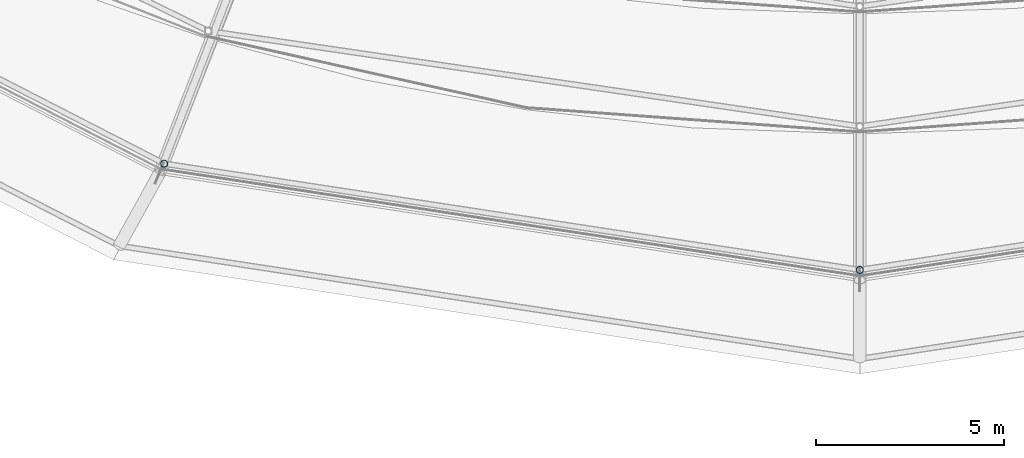
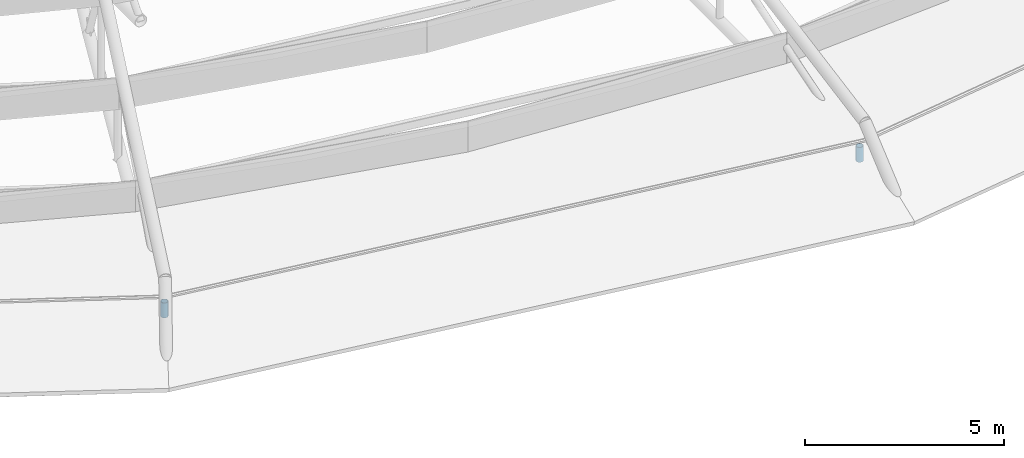
# One storey, part 95 of 134: 2 members.
"""IFC4 building model written with IfcOpenShell, lengths in metres."""

from ifc_helpers import new_model, si_unit, derived_unit, direction, frame, origin, origin_2d, place, context, subcontext, project, spatial, hollow_circle, extrude, material, material_profile, profile_set, type_object, element, save


model = new_model("IFC4")

# Units and contexts
model_context = context("Model", 3, precision=1e-05, world=origin(), true_north=direction((0.0, 1.0)))
body_context = subcontext(model_context, "Body", "Model", "MODEL_VIEW")
ifc_project = project(units=[si_unit("LENGTHUNIT", "METRE"), si_unit("AREAUNIT", "SQUARE_METRE"), si_unit("VOLUMEUNIT", "CUBIC_METRE"), si_unit("PLANEANGLEUNIT", "RADIAN"), si_unit("MASSUNIT", "GRAM", prefix="KILO"), derived_unit("THERMALTRANSMITTANCEUNIT", [(si_unit("MASSUNIT", "GRAM", prefix="KILO"), 1), (si_unit("TIMEUNIT", "SECOND"), -3), (si_unit("THERMODYNAMICTEMPERATUREUNIT", "KELVIN"), -1)])], contexts=[model_context])

# Site, building, storey
site_placement = place(None, origin())
site = spatial("IfcSite", under=ifc_project, at=site_placement, CompositionType="ELEMENT")
building_placement = place(site_placement, origin())
building = spatial("IfcBuilding", under=site, at=building_placement, Name="Kharveza Railside Sports Centre", CompositionType="ELEMENT")
storey_placement = place(building_placement, frame((0.0, 0.0, 12.89990234375)))
storey = spatial("IfcBuildingStorey", under=building, at=storey_placement, Name="L03", CompositionType="ELEMENT", Elevation=12.89990234375)

# Members
ifc_material = material(Name="Steel S355J2", Category="steel")
ifc_material_profile = material_profile(ifc_material, hollow_circle(Radius=0.096923828125, WallThickness=0.010009765625, at=origin_2d()), Name="CHS 193.7x10.0")
ifc_profile_set = profile_set([ifc_material_profile], Name="Steel S355J2")
member_type = type_object("IfcMemberType", Name="MB-ST02", PredefinedType="STRUT", material=ifc_profile_set)
for number, where, z_axis, x_axis, name in (
    (1, (36.05126953125, 16.0068359375, -0.0498046875), (0.0, 0.0, 1.0), (1.0, 0.0, 0.0), "MB-LIDPOST-S1-12"),
    (2, (54.60009765625, 13.173095703125, -0.0498046875), (0.0, 0.0, 1.0), (1.0, 0.0, 0.0), "MB-LIDPOST-S1-13"),
):
    element("IfcMember", number, at=place(storey_placement, frame(where, z_axis=z_axis, x_axis=x_axis)), inside=storey, type_object=member_type, Name=name, PredefinedType="STRUT", context=body_context, shape_type="SweptSolid", body=[
        extrude(hollow_circle(Radius=0.096923828125, WallThickness=0.010009765625, at=origin_2d()), origin(), (0.0, 0.0, 1.0), 0.454833984375),
    ])

save(model, "model.ifc")
